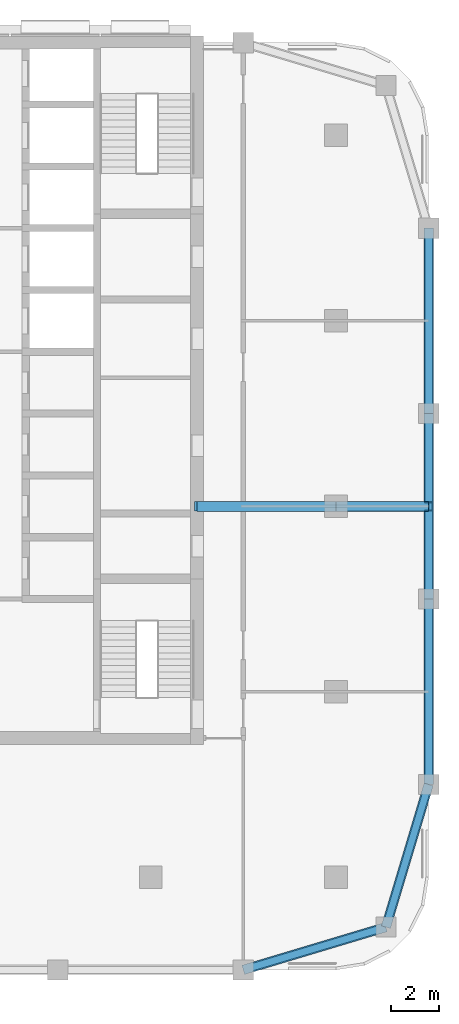
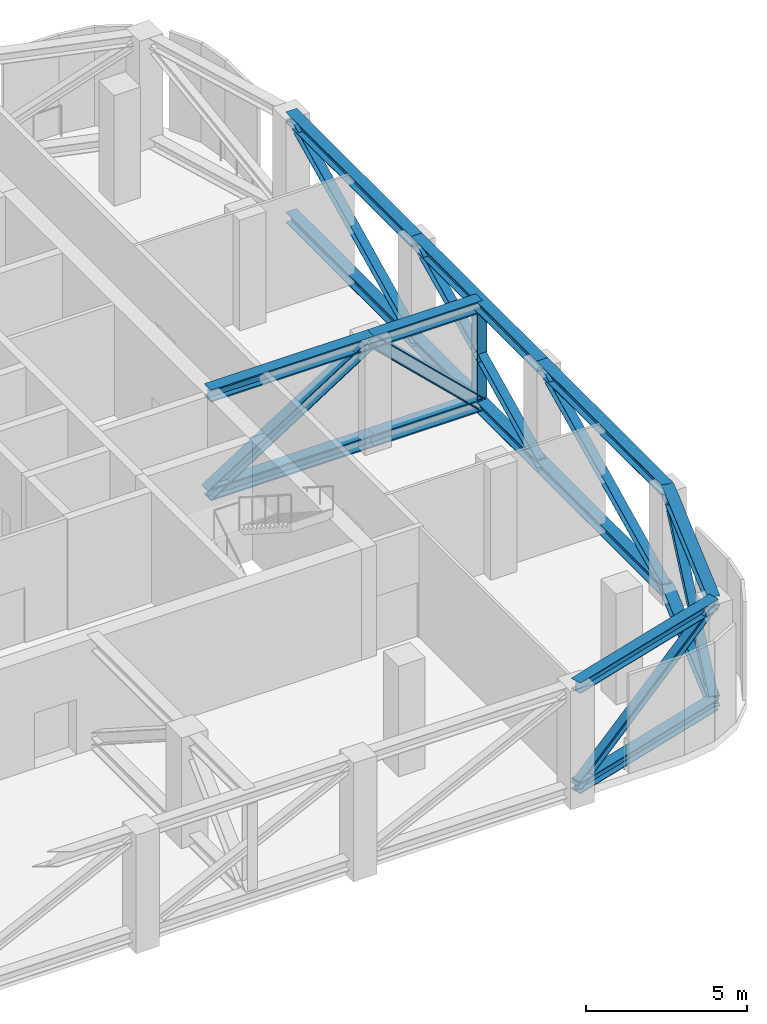
# One storey, part 3 of 11: 22 members.
"""IFC4 building model written with IfcOpenShell, lengths in metres."""

from ifc_helpers import new_model, si_unit, direction, frame, origin, origin_2d, place, context, subcontext, project, spatial, i_section, extrude, material, material_profile, profile_set, type_object, element, save


model = new_model("IFC4")

# Units and contexts
model_context = context("Model", 3, precision=1e-05, world=origin(), true_north=direction((0.0, 1.0)))
body_context = subcontext(model_context, "Body", "Model", "MODEL_VIEW")
ifc_project = project(units=[si_unit("LENGTHUNIT", "METRE"), si_unit("AREAUNIT", "SQUARE_METRE"), si_unit("VOLUMEUNIT", "CUBIC_METRE"), si_unit("PLANEANGLEUNIT", "RADIAN"), si_unit("MASSUNIT", "GRAM", prefix="KILO")], contexts=[model_context])

# Site, building, storey
site_placement = place(None, origin())
site = spatial("IfcSite", under=ifc_project, at=site_placement, CompositionType="ELEMENT")
building_placement = place(site_placement, origin())
building = spatial("IfcBuilding", under=site, at=building_placement, Name="Ludao Terraces", CompositionType="ELEMENT")
storey_placement = place(building_placement, frame((0.0, 0.0, 144.10009765625)))
storey = spatial("IfcBuildingStorey", under=building, at=storey_placement, Name="L39", CompositionType="ELEMENT", Elevation=144.10009765625)

# Members
ifc_material = material(Name="Steel Q355", Category="steel")
ifc_material_profile_1 = material_profile(ifc_material, i_section(OverallWidth=0.39990234375, OverallDepth=0.39990234375, WebThickness=0.012939453125, FlangeThickness=0.02099609375, at=origin_2d()), Name="HW 400X400X13X21")
ifc_profile_set_1 = profile_set([ifc_material_profile_1], Name="Steel Q355")
member_type_1 = type_object("IfcMemberType", Name="Belt truss chord HW 400x400x13x21 Q355", PredefinedType="CHORD", material=ifc_profile_set_1)
for number, where, z_axis, x_axis, name in (
    (1, (96.699951171875, 45.5, 4.0), (0.957824139839, 0.287355036744, 0.0), (-0.287355036744, 0.957824139839, 0.0), "Truss chord L39 BT5T1"),
    (2, (96.699951171875, 45.5, 0.199951171875), (0.957824139839, 0.287355036744, 0.0), (-0.287355036744, 0.957824139839, 0.0), "Truss chord L39 BT5B1"),
    (3, (102.699951171875, 47.300048828125, 4.0), (0.287355036744, 0.957824139839, 0.0), (-0.957824139839, 0.287355036744, 0.0), "Truss chord L39 BT13T1"),
    (4, (102.699951171875, 47.300048828125, 0.199951171875), (0.287355036744, 0.957824139839, 0.0), (-0.957824139839, 0.287355036744, 0.0), "Truss chord L39 BT13B1"),
):
    element("IfcMember", number, at=place(storey_placement, frame(where, z_axis=z_axis, x_axis=x_axis)), inside=storey, type_object=member_type_1, Name=name, PredefinedType="CHORD", context=body_context, shape_type="SweptSolid", body=[
        extrude(i_section(OverallWidth=0.39990234375, OverallDepth=0.39990234375, WebThickness=0.012939453125, FlangeThickness=0.02099609375, at=origin_2d()), origin(), (0.0, 0.0, 1.0), 6.26416015625),
    ])
for number, where, z_axis, x_axis, name in (
    (5, (104.5, 53.300048828125, 4.0), (0.0, 1.0, 0.0), (-1.0, 0.0, 0.0), "Truss chord L39 BT14T1"),
    (6, (104.5, 53.300048828125, 0.199951171875), (0.0, 1.0, 0.0), (-1.0, 0.0, 0.0), "Truss chord L39 BT14B1"),
):
    element("IfcMember", number, at=place(storey_placement, frame(where, z_axis=z_axis, x_axis=x_axis)), inside=storey, type_object=member_type_1, Name=name, PredefinedType="CHORD", context=body_context, shape_type="SweptSolid", body=[
        extrude(i_section(OverallWidth=0.39990234375, OverallDepth=0.39990234375, WebThickness=0.012939453125, FlangeThickness=0.02099609375, at=origin_2d()), origin(), (0.0, 0.0, 1.0), 7.800048828125),
    ])
for number, where, z_axis, x_axis, name in (
    (7, (104.5, 61.10009765625, 4.0), (0.0, 1.0, 0.0), (-1.0, 0.0, 0.0), "Truss chord L39 BT15T1"),
    (8, (104.5, 61.10009765625, 0.199951171875), (0.0, 1.0, 0.0), (-1.0, 0.0, 0.0), "Truss chord L39 BT15B1"),
):
    element("IfcMember", number, at=place(storey_placement, frame(where, z_axis=z_axis, x_axis=x_axis)), inside=storey, type_object=member_type_1, Name=name, PredefinedType="CHORD", context=body_context, shape_type="SweptSolid", body=[
        extrude(i_section(OverallWidth=0.39990234375, OverallDepth=0.39990234375, WebThickness=0.012939453125, FlangeThickness=0.02099609375, at=origin_2d()), origin(), (0.0, 0.0, 1.0), 7.7998046875),
    ])
for number, where, z_axis, x_axis, name in (
    (9, (104.5, 68.89990234375, 4.0), (0.0, 1.0, 0.0), (-1.0, 0.0, 0.0), "Truss chord L39 BT16T1"),
    (10, (104.5, 68.89990234375, 0.199951171875), (0.0, 1.0, 0.0), (-1.0, 0.0, 0.0), "Truss chord L39 BT16B1"),
):
    element("IfcMember", number, at=place(storey_placement, frame(where, z_axis=z_axis, x_axis=x_axis)), inside=storey, type_object=member_type_1, Name=name, PredefinedType="CHORD", context=body_context, shape_type="SweptSolid", body=[
        extrude(i_section(OverallWidth=0.39990234375, OverallDepth=0.39990234375, WebThickness=0.012939453125, FlangeThickness=0.02099609375, at=origin_2d()), origin(), (0.0, 0.0, 1.0), 7.800048828125),
    ])
ifc_material_profile_2 = material_profile(ifc_material, i_section(OverallWidth=0.300048828125, OverallDepth=0.300048828125, WebThickness=0.010009765625, FlangeThickness=0.014892578125, at=origin_2d()), Name="HW 300X300X10X15")
ifc_profile_set_2 = profile_set([ifc_material_profile_2], Name="Steel Q355")
member_type_2 = type_object("IfcMemberType", Name="Belt truss diagonal HW 300x300x10x15 Q355", PredefinedType="BRACE", material=ifc_profile_set_2)
for number, where, z_axis, x_axis, name in (
    (11, (96.699951171875, 45.5, 0.199951171875), (0.818922464161, 0.245683403656, 0.518657558376), (-0.287355036744, 0.957824139839, 0.0), "Truss diagonal L39 BT51"),
    (12, (102.699951171875, 47.300048828125, 0.199951171875), (0.245683403656, 0.818922464161, 0.518657558376), (-0.957824139839, 0.287355036744, 0.0), "Truss diagonal L39 BT131"),
):
    element("IfcMember", number, at=place(storey_placement, frame(where, z_axis=z_axis, x_axis=x_axis)), inside=storey, type_object=member_type_2, Name=name, PredefinedType="BRACE", context=body_context, shape_type="SweptSolid", body=[
        extrude(i_section(OverallWidth=0.300048828125, OverallDepth=0.300048828125, WebThickness=0.010009765625, FlangeThickness=0.014892578125, at=origin_2d()), origin(), (0.0, 0.0, 1.0), 7.32666015625),
    ])
member_1_placement = place(storey_placement, frame((104.5, 53.300048828125, 0.199951171875), z_axis=(0.0, 0.89898873254, 0.437971755672), x_axis=(-1.0, 0.0, 0.0)))
element("IfcMember", 13, at=member_1_placement, inside=storey, type_object=member_type_2, Name="Truss diagonal L39 BT141", PredefinedType="BRACE", context=body_context, shape_type="SweptSolid", body=[
    extrude(i_section(OverallWidth=0.300048828125, OverallDepth=0.300048828125, WebThickness=0.010009765625, FlangeThickness=0.014892578125, at=origin_2d()), origin(), (0.0, 0.0, 1.0), 8.676513671875),
])
member_2_placement = place(storey_placement, frame((104.5, 61.10009765625, 0.199951171875), z_axis=(0.0, 0.898983334878, 0.437982834837), x_axis=(-1.0, 0.0, 0.0)))
element("IfcMember", 14, at=member_2_placement, inside=storey, type_object=member_type_2, Name="Truss diagonal L39 BT151", PredefinedType="BRACE", context=body_context, shape_type="SweptSolid", body=[
    extrude(i_section(OverallWidth=0.300048828125, OverallDepth=0.300048828125, WebThickness=0.010009765625, FlangeThickness=0.014892578125, at=origin_2d()), origin(), (0.0, 0.0, 1.0), 8.67626953125),
])
member_3_placement = place(storey_placement, frame((104.5, 68.89990234375, 0.199951171875), z_axis=(0.0, 0.89898873254, 0.437971755672), x_axis=(-1.0, 0.0, 0.0)))
element("IfcMember", 15, at=member_3_placement, inside=storey, type_object=member_type_2, Name="Truss diagonal L39 BT161", PredefinedType="BRACE", context=body_context, shape_type="SweptSolid", body=[
    extrude(i_section(OverallWidth=0.300048828125, OverallDepth=0.300048828125, WebThickness=0.010009765625, FlangeThickness=0.014892578125, at=origin_2d()), origin(), (0.0, 0.0, 1.0), 8.676513671875),
])
ifc_material_profile_3 = material_profile(ifc_material, i_section(OverallWidth=0.4169921875, OverallDepth=0.4580078125, WebThickness=0.030029296875, FlangeThickness=0.050048828125, at=origin_2d()), Name="HW 458X417X30X50")
ifc_profile_set_3 = profile_set([ifc_material_profile_3], Name="Steel Q355")
member_type_3 = type_object("IfcMemberType", Name="Outrigger chord HW 458x417x30x50 Q355", PredefinedType="CHORD", material=ifc_profile_set_3)
for number, where, z_axis, x_axis, name in (
    (16, (94.75, 65.0, 3.970947265625), (1.0, 0.0, 0.0), (0.0, 1.0, 0.0), "Truss chord L39 ORET1"),
    (17, (94.75, 65.0, 0.22900390625), (1.0, 0.0, 0.0), (0.0, 1.0, 0.0), "Truss chord L39 OREB1"),
):
    element("IfcMember", number, at=place(storey_placement, frame(where, z_axis=z_axis, x_axis=x_axis)), inside=storey, type_object=member_type_3, Name=name, PredefinedType="CHORD", context=body_context, shape_type="SweptSolid", body=[
        extrude(i_section(OverallWidth=0.4169921875, OverallDepth=0.4580078125, WebThickness=0.030029296875, FlangeThickness=0.050048828125, at=origin_2d()), origin(), (0.0, 0.0, 1.0), 5.85009765625),
    ])
for number, where, z_axis, x_axis, name in (
    (18, (100.60009765625, 65.0, 3.970947265625), (1.0, 0.0, 0.0), (0.0, 1.0, 0.0), "Truss chord L39 ORET2"),
    (19, (100.60009765625, 65.0, 0.22900390625), (1.0, 0.0, 0.0), (0.0, 1.0, 0.0), "Truss chord L39 OREB2"),
):
    element("IfcMember", number, at=place(storey_placement, frame(where, z_axis=z_axis, x_axis=x_axis)), inside=storey, type_object=member_type_3, Name=name, PredefinedType="CHORD", context=body_context, shape_type="SweptSolid", body=[
        extrude(i_section(OverallWidth=0.4169921875, OverallDepth=0.4580078125, WebThickness=0.030029296875, FlangeThickness=0.050048828125, at=origin_2d()), origin(), (0.0, 0.0, 1.0), 3.89990234375),
    ])
ifc_material_profile_4 = material_profile(ifc_material, i_section(OverallWidth=0.405029296875, OverallDepth=0.4140625, WebThickness=0.01806640625, FlangeThickness=0.028076171875, at=origin_2d()), Name="HW 414X405X18X28")
ifc_profile_set_4 = profile_set([ifc_material_profile_4], Name="Steel Q355")
member_type_4 = type_object("IfcMemberType", Name="Outrigger diagonal HW 414x405x18x28 Q355", PredefinedType="BRACE", material=ifc_profile_set_4)
member_4_placement = place(storey_placement, frame((94.75, 65.0, 0.22900390625), z_axis=(0.842409922103, 0.0, 0.538837195396), x_axis=(0.0, 1.0, 0.0)))
element("IfcMember", 20, at=member_4_placement, inside=storey, type_object=member_type_4, Name="Truss diagonal L39 ORE1", PredefinedType="BRACE", context=body_context, shape_type="SweptSolid", body=[
    extrude(i_section(OverallWidth=0.405029296875, OverallDepth=0.4140625, WebThickness=0.01806640625, FlangeThickness=0.028076171875, at=origin_2d()), origin(), (0.0, 0.0, 1.0), 6.944580078125),
])
member_5_placement = place(storey_placement, frame((100.60009765625, 65.0, 3.970947265625), z_axis=(0.721568734302, 0.0, -0.692342806476), x_axis=(0.0, 1.0, 0.0)))
element("IfcMember", 21, at=member_5_placement, inside=storey, type_object=member_type_4, Name="Truss diagonal L39 ORE2", PredefinedType="BRACE", context=body_context, shape_type="SweptSolid", body=[
    extrude(i_section(OverallWidth=0.405029296875, OverallDepth=0.4140625, WebThickness=0.01806640625, FlangeThickness=0.028076171875, at=origin_2d()), origin(), (0.0, 0.0, 1.0), 5.40478515625),
])
ifc_material_profile_5 = material_profile(ifc_material, i_section(OverallWidth=0.35009765625, OverallDepth=0.35009765625, WebThickness=0.011962890625, FlangeThickness=0.01904296875, at=origin_2d()), Name="HW 350X350X12X19")
ifc_profile_set_5 = profile_set([ifc_material_profile_5], Name="Steel Q355")
member_type_5 = type_object("IfcMemberType", Name="Outrigger post HW 350x350x12x19 Q355", PredefinedType="POST", material=ifc_profile_set_5)
member_6_placement = place(storey_placement, frame((104.5, 65.0, 0.4580078125), z_axis=(0.0, 0.0, 1.0), x_axis=(1.0, 0.0, 0.0)))
element("IfcMember", 22, at=member_6_placement, inside=storey, type_object=member_type_5, Name="Truss post L39 ORE3", PredefinedType="POST", context=body_context, shape_type="SweptSolid", body=[
    extrude(i_section(OverallWidth=0.35009765625, OverallDepth=0.35009765625, WebThickness=0.011962890625, FlangeThickness=0.01904296875, at=origin_2d()), origin(), (0.0, 0.0, 1.0), 3.283935546875),
])

save(model, "model.ifc")
